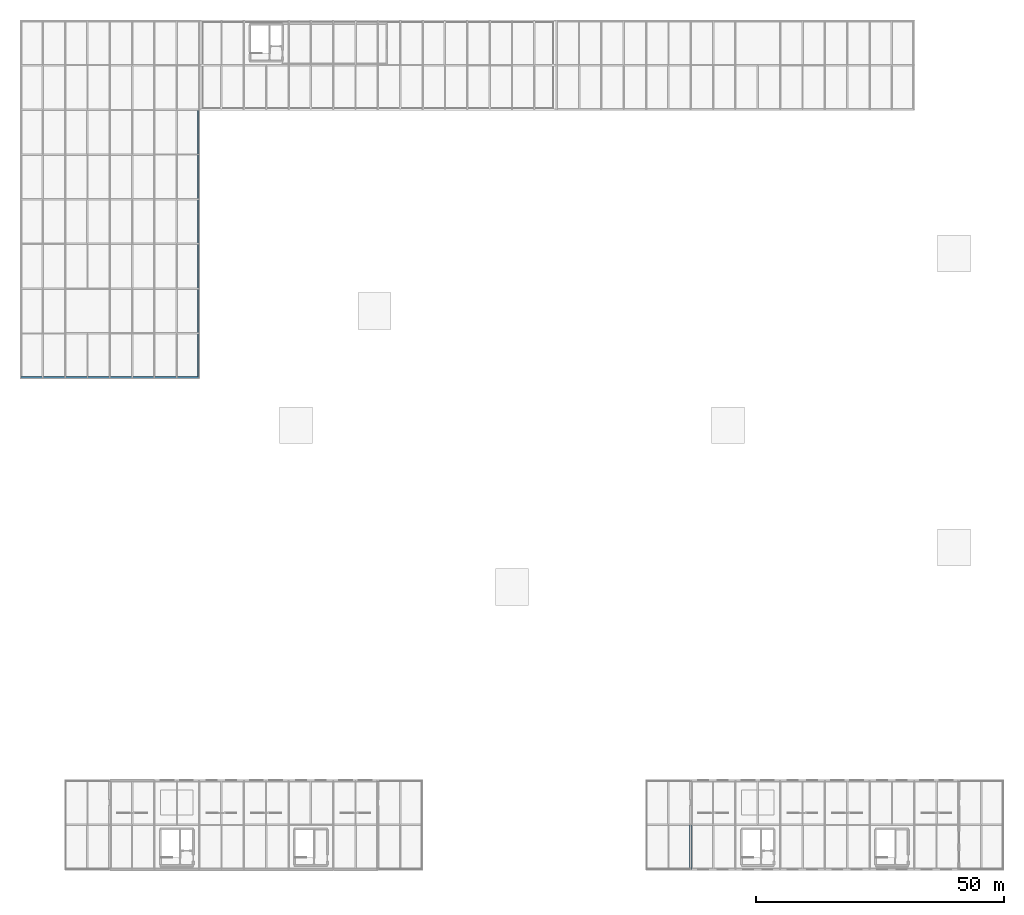
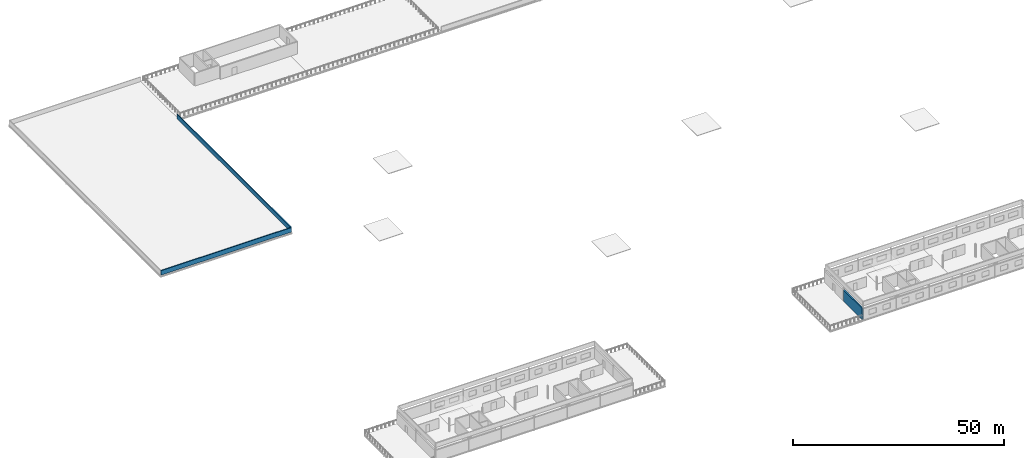
# One storey, part 11 of 18: 3 walls.
"""IFC4 building model written with IfcOpenShell, lengths in metres."""

from ifc_helpers import new_model, si_unit, direction, frame, frame_2d, origin, place, context, subcontext, project, spatial, rectangle, extrude, material, layer, layer_set, type_object, element, save


model = new_model("IFC4")

# Units and contexts
model_context = context("Model", 3, precision=1e-05, world=origin(), true_north=direction((0.0, 1.0)))
body_context = subcontext(model_context, "Body", "Model", "MODEL_VIEW")
ifc_project = project(units=[si_unit("LENGTHUNIT", "METRE"), si_unit("AREAUNIT", "SQUARE_METRE"), si_unit("VOLUMEUNIT", "CUBIC_METRE"), si_unit("PLANEANGLEUNIT", "RADIAN"), si_unit("MASSUNIT", "GRAM", prefix="KILO")], contexts=[model_context])

# Site, building, storey
site_placement = place(None, origin())
site = spatial("IfcSite", under=ifc_project, at=site_placement, CompositionType="ELEMENT")
building_placement = place(site_placement, origin())
building = spatial("IfcBuilding", under=site, at=building_placement, Name="Kildeholm Park Wholesale Market", CompositionType="ELEMENT")
storey_placement = place(building_placement, frame((0.0, 0.0, 13.5)))
storey = spatial("IfcBuildingStorey", under=building, at=storey_placement, Name="L03", CompositionType="ELEMENT", Elevation=13.5)

# Walls
ifc_material_1 = material(Name="Precast concrete C40/50 architectural rainscreen wall", Category="concrete")
ifc_layer_1 = layer(ifc_material_1, 0.340087890625)
ifc_layer_set_1 = layer_set([ifc_layer_1], Name="Precast concrete C40/50 architectural rainscreen wall")
wall_type_1 = type_object("IfcWallType", Name="Exterior wall W-EX4 340 mm", PredefinedType="SOLIDWALL", material=ifc_layer_set_1)
wall_1_placement = place(storey_placement, frame((135.0, 0.06005859375, 0.0), z_axis=(0.0, 0.0, 1.0), x_axis=(0.0, 1.0, 0.0)))
element("IfcWall", 1, at=wall_1_placement, inside=storey, type_object=wall_type_1, Name="Exterior wall V5E-L03-W.1 WL-0639", PredefinedType="SOLIDWALL", context=body_context, shape_type="SweptSolid", body=[
    extrude(rectangle(XDim=8.8798828125, YDim=0.340087890625, at=frame_2d((4.43994140625, 0.0))), origin(), (0.0, 0.0, 1.0), 3.199951171875),
])
ifc_material_2 = material(Name="Precast concrete C40/50 ceramic-coped parapet", Category="concrete")
ifc_layer_2 = layer(ifc_material_2, 0.239990234375)
ifc_layer_set_2 = layer_set([ifc_layer_2], Name="Precast concrete C40/50 ceramic-coped parapet")
wall_type_2 = type_object("IfcWallType", Name="Exterior wall W-PR1 240 mm", PredefinedType="PARAPET", material=ifc_layer_set_2)
wall_2_placement = place(storey_placement, frame((0.14990234375, 99.14990234375, 0.0), z_axis=(0.0, 0.0, 1.0), x_axis=(1.0, 0.0, 0.0)))
element("IfcWall", 2, at=wall_2_placement, inside=storey, type_object=wall_type_2, Name="Cold-block parapet PR-V4-RFW-S WL-0490", PredefinedType="PARAPET", context=body_context, shape_type="SweptSolid", body=[
    extrude(rectangle(XDim=35.7001953125, YDim=0.239990234375, at=frame_2d((17.85009765625, 0.0))), origin(), (0.0, 0.0, 1.0), 1.300048828125),
])
wall_3_placement = place(storey_placement, frame((35.85009765625, 99.14990234375, 0.0), z_axis=(0.0, 0.0, 1.0), x_axis=(0.0, 1.0, 0.0)))
element("IfcWall", 3, at=wall_3_placement, inside=storey, type_object=wall_type_2, Name="Cold-block parapet PR-V4-RFW-E WL-0491", PredefinedType="PARAPET", context=body_context, shape_type="SweptSolid", body=[
    extrude(rectangle(XDim=54.0, YDim=0.239990234375, at=frame_2d((27.0, 0.0))), origin(), (0.0, 0.0, 1.0), 1.300048828125),
])

save(model, "model.ifc")
